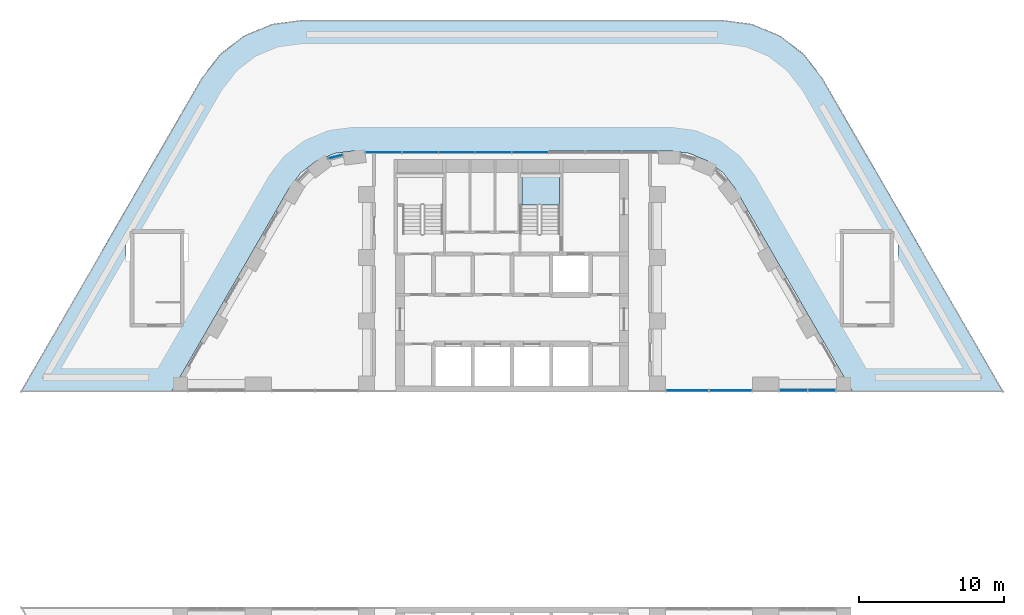
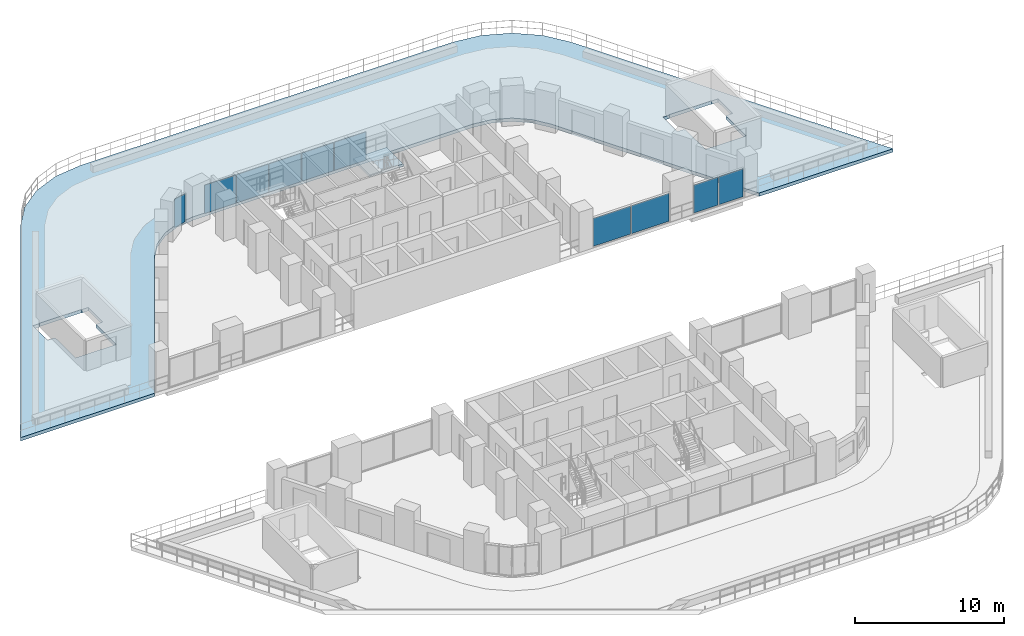
# One storey, part 9 of 24: 10 plates, 2 slabs, 5 elements without a shape of their own.
"""IFC4 building model written with IfcOpenShell, lengths in metres."""

from ifc_helpers import new_model, si_unit, direction, frame, origin, origin_2d, place, context, subcontext, project, spatial, polyline, rectangle, outline, extrude, material, layer, layer_set, type_object, element, aggregate, save


model = new_model("IFC4")

# Units and contexts
model_context = context("Model", 3, precision=1e-05, world=origin(), true_north=direction((0.0, 1.0)))
body_context = subcontext(model_context, "Body", "Model", "MODEL_VIEW")
ifc_project = project(units=[si_unit("LENGTHUNIT", "METRE"), si_unit("AREAUNIT", "SQUARE_METRE"), si_unit("VOLUMEUNIT", "CUBIC_METRE"), si_unit("PLANEANGLEUNIT", "RADIAN"), si_unit("MASSUNIT", "GRAM", prefix="KILO")], contexts=[model_context])

# Site, building, storey
site_placement = place(None, origin())
site = spatial("IfcSite", under=ifc_project, at=site_placement, CompositionType="ELEMENT")
building_placement = place(site_placement, origin())
building = spatial("IfcBuilding", under=site, at=building_placement, Name="Nakaniwa Court", CompositionType="ELEMENT")
storey_placement = place(building_placement, frame((0.0, 0.0, 28.199951171875)))
storey = spatial("IfcBuildingStorey", under=building, at=storey_placement, Name="L06", CompositionType="ELEMENT", Elevation=28.199951171875)

# Curtain wall, plates
ifc_material_1 = material(Name="Black anodised aluminium frame with dark low-E laminated double glazing", Category="aluminium")
ifc_layer_1 = layer(ifc_material_1, 0.199951171875)
ifc_layer_set_1 = layer_set([ifc_layer_1], Name="Black anodised aluminium frame with dark low-E laminated double glazing")
curtain_wall_type_1 = type_object("IfcCurtainWallType", Name="Amenity and sky level curtain wall", PredefinedType="NOTDEFINED", material=ifc_layer_set_1)
curtain_wall_1_placement = place(storey_placement, origin())
curtain_wall_1 = element("IfcCurtainWall", 1, at=curtain_wall_1_placement, inside=storey, type_object=curtain_wall_type_1, Name="L06 curtain wall CW3 26", PredefinedType="NOTDEFINED")
ifc_material_2 = material(Name="Dark toughened glass", Category="glass")
ifc_layer_2 = layer(ifc_material_2, 0.006, Name="Outer pane")
ifc_material_3 = material(Name="Argon filled cavity")
ifc_layer_3 = layer(ifc_material_3, 0.016, Name="Cavity")
ifc_material_4 = material(Name="Dark laminated safety glass", Category="glass")
ifc_layer_4 = layer(ifc_material_4, 0.006, Name="Inner pane")
ifc_layer_set_2 = layer_set([ifc_layer_2, ifc_layer_3, ifc_layer_4], Name="Dark low-E laminated double glazing")
plate_type_1 = type_object("IfcPlateType", Name="Amenity and sky level curtain wall glass panel", PredefinedType="CURTAIN_PANEL", material=ifc_layer_set_2)
plate_1_placement = place(storey_placement, frame((81.245361328125, 103.89990234375, 0.05517578125), z_axis=(0.0, 0.0, 1.0), x_axis=(-1.0, 0.0, 0.0)))
plate_1 = element("IfcPlate", 2, at=plate_1_placement, type_object=plate_type_1, Name="CW3 panel 4.1", PredefinedType="CURTAIN_PANEL", context=body_context, shape_type="SweptSolid", body=[
    extrude(rectangle(XDim=2.46875, YDim=0.028076171875, at=origin_2d()), origin(), (0.0, 0.0, 1.0), 2.31494140625),
])
plate_2_placement = place(storey_placement, frame((78.7216796875, 103.89990234375, 0.05517578125), z_axis=(0.0, 0.0, 1.0), x_axis=(-1.0, 0.0, 0.0)))
plate_2 = element("IfcPlate", 3, at=plate_2_placement, type_object=plate_type_1, Name="CW3 panel 5.1", PredefinedType="CURTAIN_PANEL", context=body_context, shape_type="SweptSolid", body=[
    extrude(rectangle(XDim=2.46875, YDim=0.028076171875, at=origin_2d()), origin(), (0.0, 0.0, 1.0), 2.31494140625),
])
plate_3_placement = place(storey_placement, frame((76.19775390625, 103.89990234375, 0.05517578125), z_axis=(0.0, 0.0, 1.0), x_axis=(-1.0, 0.0, 0.0)))
plate_3 = element("IfcPlate", 4, at=plate_3_placement, type_object=plate_type_1, Name="CW3 panel 6.1", PredefinedType="CURTAIN_PANEL", context=body_context, shape_type="SweptSolid", body=[
    extrude(rectangle(XDim=2.46875, YDim=0.028076171875, at=origin_2d()), origin(), (0.0, 0.0, 1.0), 2.31494140625),
])
plate_4_placement = place(storey_placement, frame((73.674072265625, 103.89990234375, 0.05517578125), z_axis=(0.0, 0.0, 1.0), x_axis=(-1.0, 0.0, 0.0)))
plate_4 = element("IfcPlate", 5, at=plate_4_placement, type_object=plate_type_1, Name="CW3 panel 7.1", PredefinedType="CURTAIN_PANEL", context=body_context, shape_type="SweptSolid", body=[
    extrude(rectangle(XDim=2.46875, YDim=0.028076171875, at=origin_2d()), origin(), (0.0, 0.0, 1.0), 2.31494140625),
])
plate_5_placement = place(storey_placement, frame((71.1640625, 103.89990234375, 0.05517578125), z_axis=(0.0, 0.0, 1.0), x_axis=(-1.0, 0.0, 0.0)))
plate_5 = element("IfcPlate", 6, at=plate_5_placement, type_object=plate_type_1, Name="CW3 panel 8.1", PredefinedType="CURTAIN_PANEL", context=body_context, shape_type="SweptSolid", body=[
    extrude(rectangle(XDim=2.44140625, YDim=0.028076171875, at=origin_2d()), origin(), (0.0, 0.0, 1.0), 2.31494140625),
])
aggregate(curtain_wall_1, [plate_1, plate_2, plate_3, plate_4, plate_5])

# Curtain wall, plate
curtain_wall_2_placement = place(storey_placement, origin())
curtain_wall_2 = element("IfcCurtainWall", 7, at=curtain_wall_2_placement, inside=storey, type_object=curtain_wall_type_1, Name="L06 curtain wall CW3 27", PredefinedType="NOTDEFINED")
plate_6_placement = place(storey_placement, frame((67.8544921875, 103.595947265625, 0.05517578125), z_axis=(0.0, 0.0, 1.0), x_axis=(-0.96979190327, -0.243933729426, 0.0)))
plate_6 = element("IfcPlate", 8, at=plate_6_placement, type_object=plate_type_1, Name="CW3 panel 1.1", PredefinedType="CURTAIN_PANEL", context=body_context, shape_type="SweptSolid", body=[
    extrude(rectangle(XDim=1.00048828125, YDim=0.028076171875, at=origin_2d()), origin(), (0.0, 0.0, 1.0), 2.31494140625),
])
aggregate(curtain_wall_2, [plate_6])

# Slab
ifc_material_5 = material(Name="Concrete C100/115", Category="concrete")
ifc_layer_5 = layer(ifc_material_5, 0.27490234375)
ifc_layer_set_3 = layer_set([ifc_layer_5], Name="Concrete C100/115")
slab_type_1 = type_object("IfcSlabType", Name="Concrete C100/115 post tensioned floor slab 275", PredefinedType="FLOOR", material=ifc_layer_set_3)
slab_1_placement = place(storey_placement, frame((0.0, 0.0, -0.27490234375)))
element("IfcSlab", 9, at=slab_1_placement, inside=storey, type_object=slab_type_1, Name="PLAY DECK", PredefinedType="FLOOR", context=body_context, shape_type="SweptSolid", body=[
    extrude(outline(polyline([(58.637939453125, 109.0), (46.167236328125, 87.39990234375), (56.5595703125, 87.39990234375), (64.642578125, 101.39990234375), (65.468994140625, 102.47705078125), (66.5458984375, 103.30322265625), (67.800048828125, 103.82275390625), (69.145751953125, 104.0), (90.854248046875, 104.0), (92.199951171875, 103.82275390625), (93.4541015625, 103.30322265625), (94.531005859375, 102.47705078125), (95.357421875, 101.39990234375), (103.4404296875, 87.39990234375), (113.832763671875, 87.39990234375), (101.362060546875, 109.0), (100.090576171875, 110.656982421875), (98.433837890625, 111.92822265625), (96.50439453125, 112.727294921875), (94.433837890625, 113.0), (65.566162109375, 113.0), (63.49560546875, 112.727294921875), (61.566162109375, 111.92822265625), (59.909423828125, 110.656982421875), (58.637939453125, 109.0)]), holes=[polyline([(54.02490234375, 93.639892578125), (57.175048828125, 93.639892578125), (57.175048828125, 96.3349609375), (57.215087890625, 96.3349609375), (57.215087890625, 96.375), (57.72509765625, 96.375), (57.72509765625, 98.324951171875), (57.215087890625, 98.324951171875), (57.215087890625, 98.364990234375), (53.93505859375, 98.364990234375), (53.93505859375, 98.324951171875), (53.425048828125, 98.324951171875), (53.425048828125, 96.375), (53.93505859375, 96.375), (53.93505859375, 96.3349609375), (54.02490234375, 96.3349609375), (54.02490234375, 93.639892578125)]), polyline([(102.784912109375, 96.3349609375), (102.875, 96.3349609375), (102.875, 93.639892578125), (106.02490234375, 93.639892578125), (106.02490234375, 96.3349609375), (106.06494140625, 96.3349609375), (106.06494140625, 96.375), (106.574951171875, 96.375), (106.574951171875, 98.324951171875), (106.06494140625, 98.324951171875), (106.06494140625, 98.364990234375), (102.784912109375, 98.364990234375), (102.784912109375, 98.324951171875), (102.27490234375, 98.324951171875), (102.27490234375, 96.375), (102.784912109375, 96.375), (102.784912109375, 96.3349609375)])]), origin(), (0.0, 0.0, 1.0), 0.27490234375),
])

# Curtain wall, plates
ifc_layer_6 = layer(ifc_material_1, 0.199951171875)
ifc_layer_set_4 = layer_set([ifc_layer_6], Name="Black anodised aluminium frame with dark low-E laminated double glazing")
curtain_wall_type_2 = type_object("IfcCurtainWallType", Name="Portal side curtain wall", PredefinedType="NOTDEFINED", material=ifc_layer_set_4)
curtain_wall_3_placement = place(storey_placement, origin())
curtain_wall_3 = element("IfcCurtainWall", 10, at=curtain_wall_3_placement, inside=storey, type_object=curtain_wall_type_2, Name="L06 curtain wall CW5 19", PredefinedType="NOTDEFINED")
ifc_layer_7 = layer(ifc_material_2, 0.009, Name="Outer pane")
ifc_layer_8 = layer(ifc_material_3, 0.016, Name="Cavity")
ifc_layer_9 = layer(ifc_material_4, 0.009, Name="Inner pane")
ifc_layer_set_5 = layer_set([ifc_layer_7, ifc_layer_8, ifc_layer_9], Name="Dark low-E laminated double glazing")
plate_type_2 = type_object("IfcPlateType", Name="Portal side curtain wall glass panel", PredefinedType="CURTAIN_PANEL", material=ifc_layer_set_5)
plate_7_placement = place(storey_placement, frame((92.06884765625, 87.5, 0.065185546875), z_axis=(0.0, 0.0, 1.0), x_axis=(1.0, 0.0, 0.0)))
plate_7 = element("IfcPlate", 11, at=plate_7_placement, type_object=plate_type_2, Name="CW5 panel 1.1", PredefinedType="CURTAIN_PANEL", context=body_context, shape_type="SweptSolid", body=[
    extrude(rectangle(XDim=2.8955078125, YDim=0.033935546875, at=origin_2d()), origin(), (0.0, 0.0, 1.0), 2.294921875),
])
plate_8_placement = place(storey_placement, frame((95.039306640625, 87.5, 0.065185546875), z_axis=(0.0, 0.0, 1.0), x_axis=(1.0, 0.0, 0.0)))
plate_8 = element("IfcPlate", 12, at=plate_8_placement, type_object=plate_type_2, Name="CW5 panel 2.1", PredefinedType="CURTAIN_PANEL", context=body_context, shape_type="SweptSolid", body=[
    extrude(rectangle(XDim=2.8955078125, YDim=0.033935546875, at=origin_2d()), origin(), (0.0, 0.0, 1.0), 2.294921875),
])
aggregate(curtain_wall_3, [plate_7, plate_8])

curtain_wall_4_placement = place(storey_placement, origin())
curtain_wall_4 = element("IfcCurtainWall", 13, at=curtain_wall_4_placement, inside=storey, type_object=curtain_wall_type_2, Name="L06 curtain wall CW5 20", PredefinedType="NOTDEFINED")
plate_9_placement = place(storey_placement, frame((99.365966796875, 87.5, 0.065185546875), z_axis=(0.0, 0.0, 1.0), x_axis=(1.0, 0.0, 0.0)))
plate_9 = element("IfcPlate", 14, at=plate_9_placement, type_object=plate_type_2, Name="CW5 panel 1.1", PredefinedType="CURTAIN_PANEL", context=body_context, shape_type="SweptSolid", body=[
    extrude(rectangle(XDim=1.8740234375, YDim=0.033935546875, at=origin_2d()), origin(), (0.0, 0.0, 1.0), 2.294921875),
])
plate_10_placement = place(storey_placement, frame((101.31494140625, 87.5, 0.065185546875), z_axis=(0.0, 0.0, 1.0), x_axis=(1.0, 0.0, 0.0)))
plate_10 = element("IfcPlate", 15, at=plate_10_placement, type_object=plate_type_2, Name="CW5 panel 2.1", PredefinedType="CURTAIN_PANEL", context=body_context, shape_type="SweptSolid", body=[
    extrude(rectangle(XDim=1.8740234375, YDim=0.033935546875, at=origin_2d()), origin(), (0.0, 0.0, 1.0), 2.294921875),
])
aggregate(curtain_wall_4, [plate_9, plate_10])

# Stair, slab
ifc_material_6 = material(Name="Concrete C80/100", Category="concrete")
stair_type = type_object("IfcStairType", Name="Dog leg stair 1300 wide 18 risers", PredefinedType="HALF_TURN_STAIR", material=ifc_material_6)
stair_placement = place(storey_placement, origin())
stair = element("IfcStair", 16, at=stair_placement, inside=storey, type_object=stair_type, Name="L06 Stair ST2", PredefinedType="HALF_TURN_STAIR")
ifc_layer_10 = layer(ifc_material_6, 0.199951171875)
ifc_layer_set_6 = layer_set([ifc_layer_10], Name="Concrete C80/100")
slab_type_2 = type_object("IfcSlabType", Name="Stair landing concrete", PredefinedType="LANDING", material=ifc_layer_set_6)
slab_2_placement = place(storey_placement, frame((0.0, 0.0, 1.449951171875)))
slab_2 = element("IfcSlab", 17, at=slab_2_placement, type_object=slab_type_2, Name="ST2 landing 1", PredefinedType="LANDING", context=body_context, shape_type="SweptSolid", body=[
    extrude(outline(polyline([(83.27490234375, 100.27490234375), (83.27490234375, 102.5), (80.675048828125, 102.5), (80.675048828125, 100.27490234375), (83.27490234375, 100.27490234375)])), origin(), (0.0, 0.0, 1.0), 0.2001953125),
])
aggregate(stair, [slab_2])

save(model, "model.ifc")
